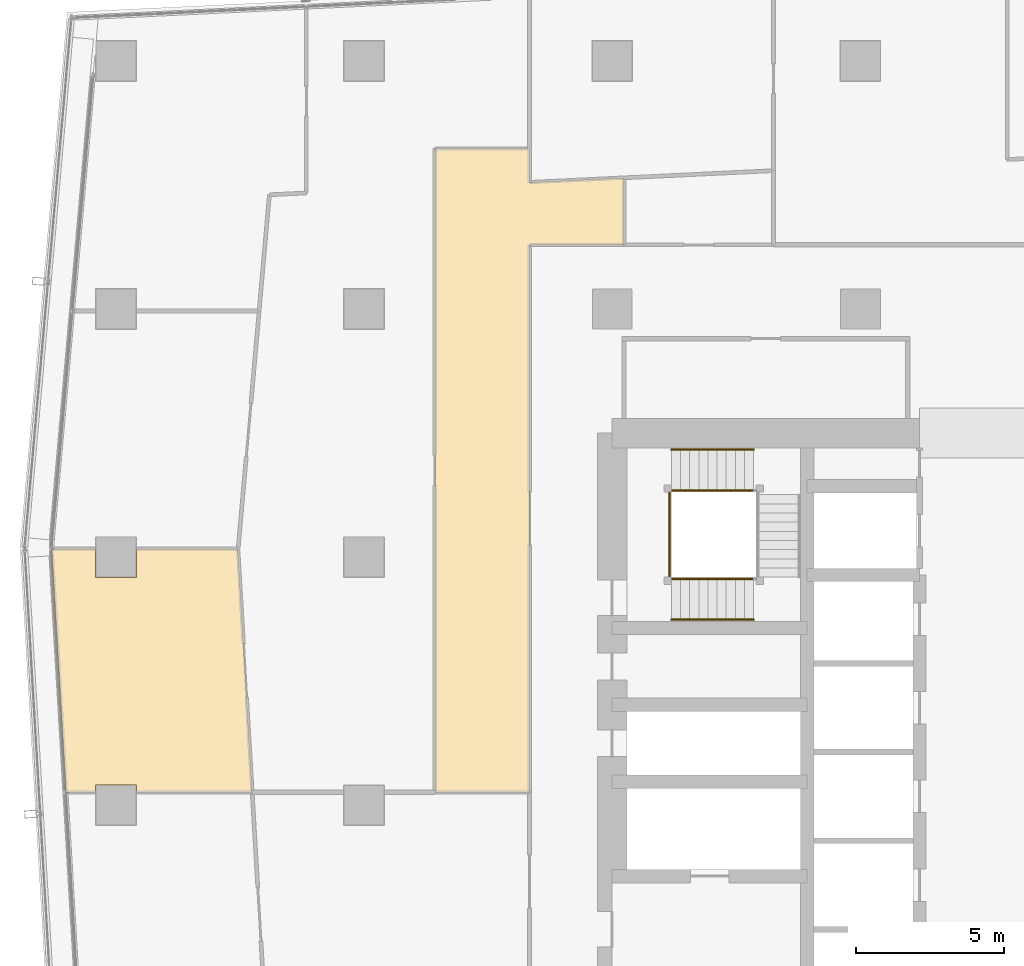
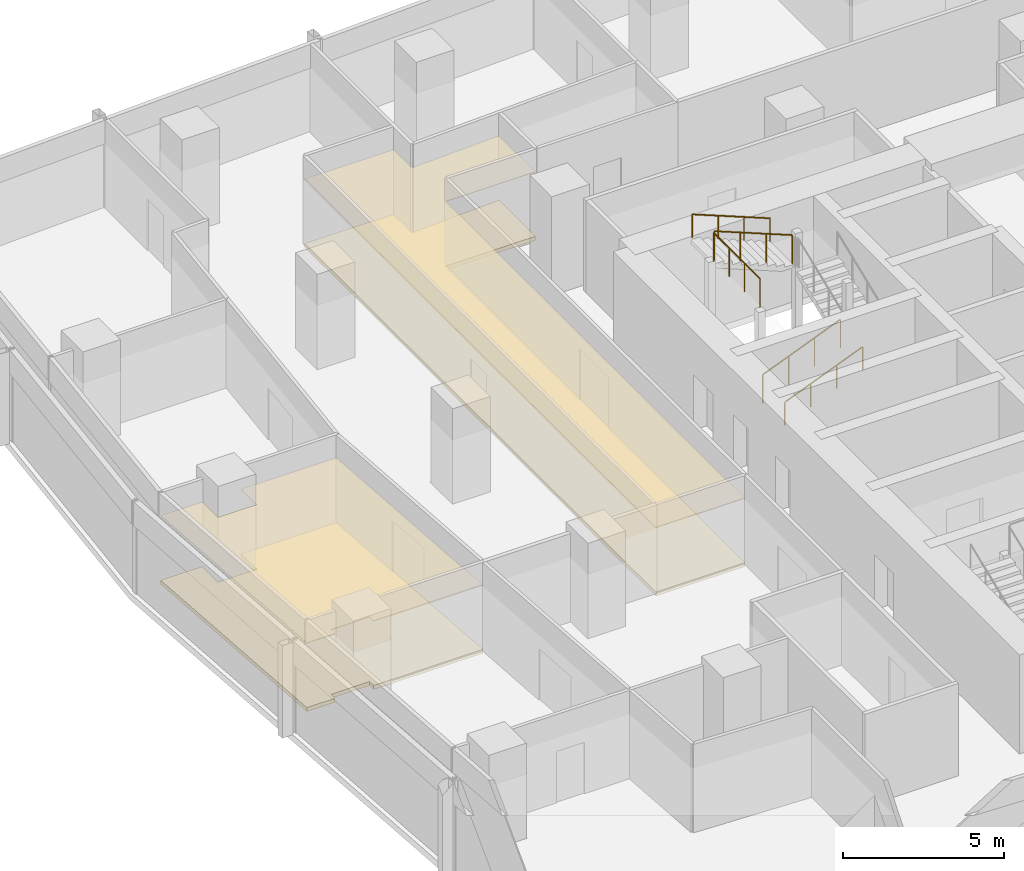
# One storey, part 33 of 39: 5 railings, 4 coverings.
"""IFC4 building model written with IfcOpenShell, lengths in metres."""

from ifc_helpers import new_model, si_unit, direction, frame, origin, origin_2d, place, context, subcontext, project, spatial, polyline, circle, outline, extrude, material, layer, layer_set, type_object, element, save


model = new_model("IFC4")

# Units and contexts
model_context = context("Model", 3, precision=1e-05, world=origin(), true_north=direction((0.0, 1.0)))
body_context = subcontext(model_context, "Body", "Model", "MODEL_VIEW")
ifc_project = project(units=[si_unit("LENGTHUNIT", "METRE"), si_unit("AREAUNIT", "SQUARE_METRE"), si_unit("VOLUMEUNIT", "CUBIC_METRE"), si_unit("PLANEANGLEUNIT", "RADIAN"), si_unit("MASSUNIT", "GRAM", prefix="KILO")], contexts=[model_context])

# Site, building, storey
site_placement = place(None, origin())
site = spatial("IfcSite", under=ifc_project, at=site_placement, CompositionType="ELEMENT")
building_placement = place(site_placement, origin())
building = spatial("IfcBuilding", under=site, at=building_placement, Name="Rekha Terrace Tower", CompositionType="ELEMENT")
storey_placement = place(building_placement, frame((0.0, 0.0, 225.199951171875)))
storey = spatial("IfcBuildingStorey", under=building, at=storey_placement, Name="L57", CompositionType="ELEMENT", Elevation=225.199951171875)

# Coverings
ifc_material_1 = material(Name="Mineral fibre tile in exposed grid", Category="finish")
ifc_layer_1 = layer(ifc_material_1, 0.02001953125)
ifc_layer_set_1 = layer_set([ifc_layer_1], Name="Mineral fibre tile in exposed grid")
covering_type_1 = type_object("IfcCoveringType", Name="CL1 600x1200 office grid ceiling", PredefinedType="CEILING", material=ifc_layer_set_1)
covering_1_placement = place(storey_placement, frame((0.0, 0.0, 2.580078125)))
element("IfcCovering", 1, at=covering_1_placement, inside=storey, type_object=covering_type_1, Name="Ceiling L57-10", PredefinedType="CEILING", context=body_context, shape_type="SweptSolid", body=[
    extrude(outline(polyline([(9.090087890625, 34.041015625), (13.010986328125, 34.041015625), (12.52587890625, 42.281005859375), (9.090087890625, 42.281005859375), (9.090087890625, 41.31005859375), (7.7099609375, 41.31005859375), (7.7099609375, 42.281005859375), (6.215087890625, 42.281005859375), (6.699951171875, 34.041015625), (7.7099609375, 34.041015625), (7.7099609375, 34.2900390625), (9.090087890625, 34.2900390625), (9.090087890625, 34.041015625)])), origin(), (0.0, 0.0, 1.0), 0.02001953125),
])
covering_2_placement = place(storey_placement, frame((0.0, 0.0, 2.580078125)))
element("IfcCovering", 2, at=covering_2_placement, inside=storey, type_object=covering_type_1, Name="Ceiling L57-13", PredefinedType="CEILING", context=body_context, shape_type="SweptSolid", body=[
    extrude(outline(polyline([(22.39990234375, 52.574951171875), (25.60009765625, 52.574951171875), (25.60009765625, 54.843994140625), (22.40087890625, 54.69091796875), (22.40087890625, 55.8291015625), (19.199951171875, 55.8291015625), (19.199951171875, 34.0400390625), (22.39990234375, 34.0400390625), (22.39990234375, 52.574951171875)])), origin(), (0.0, 0.0, 1.0), 0.02001953125),
])

# Railings
ifc_material_2 = material(Name="Stainless steel balustrade", Category="steel")
railing_type_1 = type_object("IfcRailingType", Name="GR1 1100 stair guard", PredefinedType="GUARDRAIL", material=ifc_material_2)
railing_1_placement = place(storey_placement, frame((27.199951171875, 41.264892578125, 0.125)))
element("IfcRailing", 3, at=railing_1_placement, inside=storey, type_object=railing_type_1, Name="Guard ST4 L57 flight 1", PredefinedType="GUARDRAIL", context=body_context, shape_type="SweptSolid", body=[
    extrude(circle(Radius=0.02392578125, at=origin_2d()), frame((0.0, 0.0, 1.076171875), z_axis=(0.927443287984, 0.0, 0.373963831907), x_axis=(0.0, 1.0, 0.0)), (0.0, 0.0, 1.0), 3.00830078125),
    extrude(circle(Radius=0.02099609375, at=origin_2d()), origin(), (0.0, 0.0, 1.0), 1.052001953125),
    extrude(circle(Radius=0.02099609375, at=origin_2d()), frame((0.929931640625, 0.0, 0.375)), (0.0, 0.0, 1.0), 1.052001953125),
    extrude(circle(Radius=0.02099609375, at=origin_2d()), frame((1.860107421875, 0.0, 0.75)), (0.0, 0.0, 1.0), 1.052001953125),
    extrude(circle(Radius=0.02099609375, at=origin_2d()), frame((2.7900390625, 0.0, 1.125)), (0.0, 0.0, 1.0), 1.052001953125),
])
railing_2_placement = place(storey_placement, frame((29.989990234375, 44.260009765625, 2.625)))
element("IfcRailing", 4, at=railing_2_placement, inside=storey, type_object=railing_type_1, Name="Guard ST4 L57 flight 3", PredefinedType="GUARDRAIL", context=body_context, shape_type="SweptSolid", body=[
    extrude(circle(Radius=0.02392578125, at=origin_2d()), frame((0.0, 0.0, 1.076171875), z_axis=(-0.927443287984, 0.0, 0.373963831907), x_axis=(0.0, -1.0, 0.0)), (0.0, 0.0, 1.0), 3.00830078125),
    extrude(circle(Radius=0.02099609375, at=origin_2d()), origin(), (0.0, 0.0, 1.0), 1.052001953125),
    extrude(circle(Radius=0.02099609375, at=origin_2d()), frame((-0.929931640625, 0.0, 0.375)), (0.0, 0.0, 1.0), 1.052001953125),
    extrude(circle(Radius=0.02099609375, at=origin_2d()), frame((-1.860107421875, 0.0, 0.75)), (0.0, 0.0, 1.0), 1.052001953125),
    extrude(circle(Radius=0.02099609375, at=origin_2d()), frame((-2.7900390625, 0.0, 1.125)), (0.0, 0.0, 1.0), 1.052001953125),
])
railing_3_placement = place(storey_placement, frame((27.139892578125, 41.324951171875, 3.75)))
element("IfcRailing", 5, at=railing_3_placement, inside=storey, type_object=railing_type_1, Name="Guard ST4 L57 landing 4", PredefinedType="GUARDRAIL", context=body_context, shape_type="SweptSolid", body=[
    extrude(circle(Radius=0.02392578125, at=origin_2d()), frame((0.0, 0.0, 1.076171875), z_axis=(0.0, 1.0, 0.0), x_axis=(-1.0, 0.0, 0.0)), (0.0, 0.0, 1.0), 2.875),
    extrude(circle(Radius=0.02099609375, at=origin_2d()), origin(), (0.0, 0.0, 1.0), 1.052001953125),
    extrude(circle(Radius=0.02099609375, at=origin_2d()), frame((0.0, 0.958251953125, 0.0)), (0.0, 0.0, 1.0), 1.052001953125),
    extrude(circle(Radius=0.02099609375, at=origin_2d()), frame((0.0, 1.916748046875, 0.0)), (0.0, 0.0, 1.0), 1.052001953125),
    extrude(circle(Radius=0.02099609375, at=origin_2d()), frame((0.0, 2.875, 0.0)), (0.0, 0.0, 1.0), 1.052001953125),
])
ifc_material_3 = material(Name="Stainless steel tube", Category="steel")
railing_type_2 = type_object("IfcRailingType", Name="HR1 900 stair handrail", PredefinedType="HANDRAIL", material=ifc_material_3)
railing_4_placement = place(storey_placement, frame((27.199951171875, 39.885009765625, 0.125)))
element("IfcRailing", 6, at=railing_4_placement, inside=storey, type_object=railing_type_2, Name="Handrail ST4 L57 flight 1", PredefinedType="HANDRAIL", context=body_context, shape_type="SweptSolid", body=[
    extrude(circle(Radius=0.02392578125, at=origin_2d()), frame((0.0, 0.0, 0.8759765625), z_axis=(0.927443287984, 0.0, 0.373963831907), x_axis=(0.0, 1.0, 0.0)), (0.0, 0.0, 1.0), 3.00830078125),
    extrude(circle(Radius=0.02099609375, at=origin_2d()), origin(), (0.0, 0.0, 1.0), 0.851806640625),
    extrude(circle(Radius=0.02099609375, at=origin_2d()), frame((0.929931640625, 0.0, 0.375)), (0.0, 0.0, 1.0), 0.851806640625),
    extrude(circle(Radius=0.02099609375, at=origin_2d()), frame((1.860107421875, 0.0, 0.75)), (0.0, 0.0, 1.0), 0.851806640625),
    extrude(circle(Radius=0.02099609375, at=origin_2d()), frame((2.7900390625, 0.0, 1.125)), (0.0, 0.0, 1.0), 0.851806640625),
])
railing_5_placement = place(storey_placement, frame((29.989990234375, 45.639892578125, 2.625)))
element("IfcRailing", 7, at=railing_5_placement, inside=storey, type_object=railing_type_2, Name="Handrail ST4 L57 flight 3", PredefinedType="HANDRAIL", context=body_context, shape_type="SweptSolid", body=[
    extrude(circle(Radius=0.02392578125, at=origin_2d()), frame((0.0, 0.0, 0.8759765625), z_axis=(-0.927443287984, 0.0, 0.373963831907), x_axis=(0.0, -1.0, 0.0)), (0.0, 0.0, 1.0), 3.00830078125),
    extrude(circle(Radius=0.02099609375, at=origin_2d()), origin(), (0.0, 0.0, 1.0), 0.851806640625),
    extrude(circle(Radius=0.02099609375, at=origin_2d()), frame((-0.929931640625, 0.0, 0.375)), (0.0, 0.0, 1.0), 0.851806640625),
    extrude(circle(Radius=0.02099609375, at=origin_2d()), frame((-1.860107421875, 0.0, 0.75)), (0.0, 0.0, 1.0), 0.851806640625),
    extrude(circle(Radius=0.02099609375, at=origin_2d()), frame((-2.7900390625, 0.0, 1.125)), (0.0, 0.0, 1.0), 0.851806640625),
])

# Coverings
ifc_material_4 = material(Name="Calcium sulphate panels on steel pedestals", Category="steel")
ifc_layer_2 = layer(ifc_material_4, 0.14990234375)
ifc_layer_set_2 = layer_set([ifc_layer_2], Name="Calcium sulphate panels on steel pedestals")
covering_type_2 = type_object("IfcCoveringType", Name="RF1 150 raised access floor", PredefinedType="FLOORING", material=ifc_layer_set_2)
covering_3_placement = place(storey_placement, origin())
element("IfcCovering", 8, at=covering_3_placement, inside=storey, type_object=covering_type_2, Name="Raised floor L57-10", PredefinedType="FLOORING", context=body_context, shape_type="SweptSolid", body=[
    extrude(outline(polyline([(9.090087890625, 34.041015625), (13.010986328125, 34.041015625), (12.52587890625, 42.281005859375), (9.090087890625, 42.281005859375), (9.090087890625, 41.31005859375), (7.7099609375, 41.31005859375), (7.7099609375, 42.281005859375), (6.215087890625, 42.281005859375), (6.699951171875, 34.041015625), (7.7099609375, 34.041015625), (7.7099609375, 34.2900390625), (9.090087890625, 34.2900390625), (9.090087890625, 34.041015625)])), origin(), (0.0, 0.0, 1.0), 0.150146484375),
])
covering_4_placement = place(storey_placement, origin())
element("IfcCovering", 9, at=covering_4_placement, inside=storey, type_object=covering_type_2, Name="Raised floor L57-13", PredefinedType="FLOORING", context=body_context, shape_type="SweptSolid", body=[
    extrude(outline(polyline([(22.39990234375, 52.574951171875), (25.60009765625, 52.574951171875), (25.60009765625, 54.843994140625), (22.40087890625, 54.69091796875), (22.40087890625, 55.8291015625), (19.199951171875, 55.8291015625), (19.199951171875, 34.0400390625), (22.39990234375, 34.0400390625), (22.39990234375, 52.574951171875)])), origin(), (0.0, 0.0, 1.0), 0.150146484375),
])

save(model, "model.ifc")
